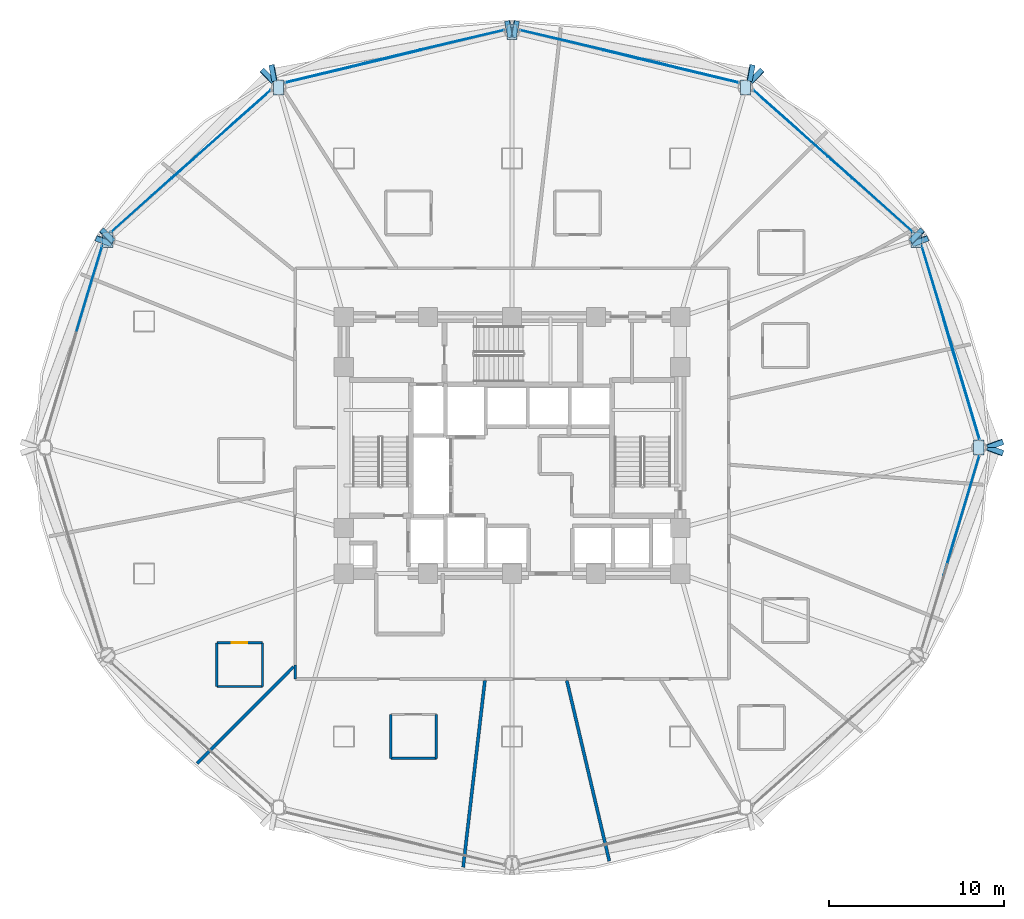
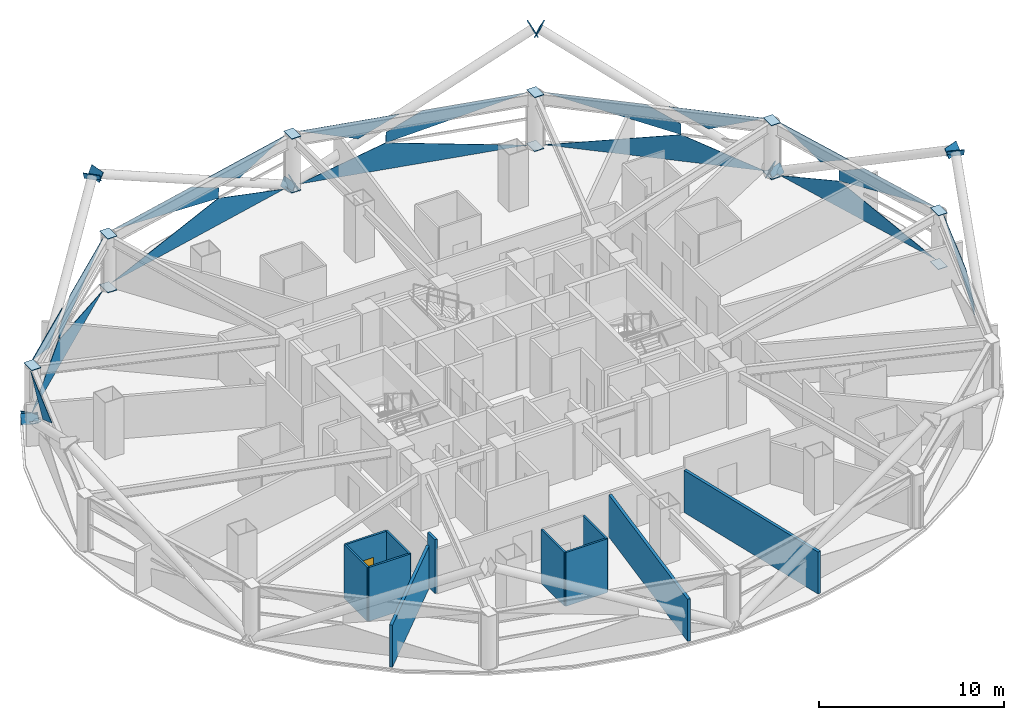
# One storey, part 22 of 30: 41 plates, 11 walls, 1 door, 1 opening, 7 elements without a shape of their own.
"""IFC4 building model written with IfcOpenShell, lengths in metres."""

from ifc_helpers import new_model, si_unit, direction, frame, frame_2d, origin, place, context, subcontext, project, spatial, polyline, rectangle, outline, extrude, material, layer, layer_set, type_object, element, fill, aggregate, save


model = new_model("IFC4")

# Units and contexts
model_context = context("Model", 3, precision=1e-05, world=origin(), true_north=direction((0.0, 1.0)))
body_context = subcontext(model_context, "Body", "Model", "MODEL_VIEW")
ifc_project = project(units=[si_unit("LENGTHUNIT", "METRE"), si_unit("AREAUNIT", "SQUARE_METRE"), si_unit("VOLUMEUNIT", "CUBIC_METRE"), si_unit("PLANEANGLEUNIT", "RADIAN"), si_unit("MASSUNIT", "GRAM", prefix="KILO")], contexts=[model_context])

# Site, building, storey
site_placement = place(None, origin())
site = spatial("IfcSite", under=ifc_project, at=site_placement, CompositionType="ELEMENT")
building_placement = place(site_placement, origin())
building = spatial("IfcBuilding", under=site, at=building_placement, Name="Vantalir Tower", CompositionType="ELEMENT")
storey_placement = place(building_placement, frame((0.0, 0.0, 49.5)))
storey = spatial("IfcBuildingStorey", under=building, at=storey_placement, Name="L11", CompositionType="ELEMENT", Elevation=49.5)

# Curtain wall, plates
ifc_material_1 = material(Name="Champagne-silver PVDF aluminium and double-silver Low-E glass", Category="aluminium")
ifc_layer_1 = layer(ifc_material_1, 0.18994140625)
ifc_layer_set_1 = layer_set([ifc_layer_1], Name="Champagne-silver PVDF aluminium and double-silver Low-E glass")
curtain_wall_type = type_object("IfcCurtainWallType", Name="CW-DIAMOND-Z1", PredefinedType="USERDEFINED", material=ifc_layer_set_1)
curtain_wall_1_placement = place(storey_placement, origin())
curtain_wall_1 = element("IfcCurtainWall", 1, at=curtain_wall_1_placement, inside=storey, type_object=curtain_wall_type, Name="L11 Quilted Pyramid-Diamond Curtain Wall S01", ObjectType="UNITISED CURTAIN WALL", PredefinedType="USERDEFINED")
ifc_material_2 = material(Name="Double-silver Low-E laminated glass IGU", Category="glass")
ifc_layer_2 = layer(ifc_material_2, 0.028076171875)
ifc_layer_set_2 = layer_set([ifc_layer_2], Name="Double-silver Low-E laminated glass IGU")
plate_type_1 = type_object("IfcPlateType", Name="CWP-IGU-28", PredefinedType="CURTAIN_PANEL", material=ifc_layer_set_2)
plate_1_placement = place(storey_placement, frame((58.189453125, 25.46435546875, 0.04638671875), z_axis=(-0.95758802022, -0.287810871385, 0.013787162279), x_axis=(-0.287837949678, 0.95767912908, 2.1198847e-05)))
plate_1 = element("IfcPlate", 2, at=plate_1_placement, type_object=plate_type_1, Name="CW-L11-S01 Pyramid Diamond Facet 1L", PredefinedType="CURTAIN_PANEL", context=body_context, shape_type="SweptSolid", body=[
    extrude(outline(polyline([(0.0, 0.0), (11.516693368469967, 4.960224939121183e-18), (7.134474884502269, -1.7268195281423935), (0.0, 0.0)])), origin(), (0.0, 0.0, -1.0), 0.028076171875),
])
plate_2_placement = place(storey_placement, frame((58.189453125, 25.46435546875, 3.523681640625), z_axis=(0.957583801933, 0.287822602548, 0.01383516313), x_axis=(-0.2878495389, 0.957675644888, -4.6306967e-05)))
plate_2 = element("IfcPlate", 3, at=plate_2_placement, type_object=plate_type_1, Name="CW-L11-S01 Pyramid Diamond Facet 2U", PredefinedType="CURTAIN_PANEL", context=body_context, shape_type="SweptSolid", body=[
    extrude(outline(polyline([(0.0, 0.0), (5.272979411255292, -1.1384122811097797e-18), (7.134514747716848, -1.0459123062447386), (7.134517957991605, -1.7268857212815554), (0.0, 0.0)])), origin(), (0.0, 0.0, -1.0), 0.028076171875),
])
plate_3_placement = place(storey_placement, frame((56.35595703125, 31.67626953125, 3.52392578125), z_axis=(0.957588191156, 0.28780925806, 0.01380895121), x_axis=(-0.287836702746, 0.957679504089, 0.0)))
plate_3 = element("IfcPlate", 4, at=plate_3_placement, type_object=plate_type_1, Name="CW-L11-S01 Pyramid Diamond Facet 2U Infill Light", PredefinedType="CURTAIN_PANEL", context=body_context, shape_type="SweptSolid", body=[
    extrude(outline(polyline([(0.0, 0.0), (5.039953487196752, 0.0), (2.0774181059940315, -1.1673476325182721), (0.0, 0.0)])), origin(), (0.0, 0.0, -1.0), 0.028076171875),
])
aggregate(curtain_wall_1, [plate_1, plate_2, plate_3])

curtain_wall_2_placement = place(storey_placement, origin())
curtain_wall_2 = element("IfcCurtainWall", 5, at=curtain_wall_2_placement, inside=storey, type_object=curtain_wall_type, Name="L11 Quilted Pyramid-Diamond Curtain Wall S02", ObjectType="UNITISED CURTAIN WALL", PredefinedType="USERDEFINED")
plate_4_placement = place(storey_placement, frame((54.373046875, 37.28076171875, 0.046630859375), z_axis=(-0.665372937619, -0.746388040271, 0.01355533931), x_axis=(-0.746456803677, 0.665433873381, -2.0035344e-05)))
plate_4 = element("IfcPlate", 6, at=plate_4_placement, type_object=plate_type_1, Name="CW-L11-S02 Pyramid Diamond Facet 1L", PredefinedType="CURTAIN_PANEL", context=body_context, shape_type="SweptSolid", body=[
    extrude(outline(polyline([(0.0, 0.0), (12.185497165828616, -1.2088854223213374e-17), (4.632465465344607, -1.7270581323679652), (0.0, 0.0)])), origin(), (0.0, 0.0, -1.0), 0.028076171875),
])
plate_5_placement = place(storey_placement, frame((49.500732421875, 41.6240234375, 3.523681640625), z_axis=(0.665395031362, 0.746366235789, 0.013670929477), x_axis=(-0.746435992054, 0.665457218584, 7.5259e-08)))
plate_5 = element("IfcPlate", 7, at=plate_5_placement, type_object=plate_type_1, Name="CW-L11-S02 Pyramid Diamond Facet 2U", PredefinedType="CURTAIN_PANEL", context=body_context, shape_type="SweptSolid", body=[
    extrude(outline(polyline([(0.0, 0.0), (5.65837142206165, 0.0), (-1.894625072008797, -1.7274562127020272), (-1.8947608539828198, -1.020846784373195), (0.0, 0.0)])), origin(), (0.0, 0.0, -1.0), 0.028076171875),
])
plate_6_placement = place(storey_placement, frame((54.394287109375, 37.3046875, 3.52392578125), z_axis=(0.665351507979, 0.746407449705, 0.013538458388), x_axis=(-0.746475863566, 0.665412492453, 0.0)))
plate_6 = element("IfcPlate", 8, at=plate_6_placement, type_object=plate_type_1, Name="CW-L11-S02 Pyramid Diamond Facet 2U Infill Light", PredefinedType="CURTAIN_PANEL", context=body_context, shape_type="SweptSolid", body=[
    extrude(outline(polyline([(0.0, 0.0), (5.285578319672261, 0.0), (3.1237193044857783, -1.1646575210956889), (0.0, 0.0)])), origin(), (0.0, 0.0, -1.0), 0.028076171875),
])
aggregate(curtain_wall_2, [plate_4, plate_5, plate_6])

curtain_wall_3_placement = place(storey_placement, origin())
curtain_wall_3 = element("IfcCurtainWall", 9, at=curtain_wall_3_placement, inside=storey, type_object=curtain_wall_type, Name="L11 Quilted Pyramid-Diamond Curtain Wall S03", ObjectType="UNITISED CURTAIN WALL", PredefinedType="USERDEFINED")
plate_7_placement = place(storey_placement, frame((44.443359375, 45.82470703125, 0.046142578125), z_axis=(-0.232285713853, -0.972551192562, 0.013693976268), x_axis=(-0.972642333461, 0.232307750187, 1.9040058e-05)))
plate_7 = element("IfcPlate", 10, at=plate_7_placement, type_object=plate_type_1, Name="CW-L11-S03 Pyramid Diamond Facet 1L", PredefinedType="CURTAIN_PANEL", context=body_context, shape_type="SweptSolid", body=[
    extrude(outline(polyline([(0.0, 0.0), (12.822472617576965, -7.670730370334944e-18), (7.9437987635103235, -1.7275497993928277), (0.0, 0.0)])), origin(), (0.0, 0.0, -1.0), 0.028076171875),
])
plate_8_placement = place(storey_placement, frame((44.443359375, 45.82470703125, 3.523681640625), z_axis=(0.232292534661, 0.972549302658, 0.013712484807), x_axis=(-0.97264075152, 0.232314374248, 2.05094e-07)))
plate_8 = element("IfcPlate", 11, at=plate_8_placement, type_object=plate_type_1, Name="CW-L11-S03 Pyramid Diamond Facet 2U", PredefinedType="CURTAIN_PANEL", context=body_context, shape_type="SweptSolid", body=[
    extrude(outline(polyline([(0.0, 0.0), (5.8949021910664525, 0.0), (7.943804426634692, -1.0433126126655532), (7.943765679126243, -1.7277019221765757), (0.0, 0.0)])), origin(), (0.0, 0.0, -1.0), 0.028076171875),
])
plate_9_placement = place(storey_placement, frame((37.452392578125, 47.52734375, 3.524169921875), z_axis=(0.232260966211, 0.97255739166, 0.01367345977), x_axis=(-0.972648182055, 0.232283258251, -4.3384994e-05)))
plate_9 = element("IfcPlate", 12, at=plate_9_placement, type_object=plate_type_1, Name="CW-L11-S03 Pyramid Diamond Facet 2U Infill Light", PredefinedType="CURTAIN_PANEL", context=body_context, shape_type="SweptSolid", body=[
    extrude(outline(polyline([(0.0, 0.0), (5.6273057132671, -4.607859233063394e-19), (2.3081248364915905, -1.1753027063647365), (0.0, 0.0)])), origin(), (0.0, 0.0, -1.0), 0.028076171875),
])
aggregate(curtain_wall_3, [plate_7, plate_8, plate_9])

curtain_wall_4_placement = place(storey_placement, origin())
curtain_wall_4 = element("IfcCurtainWall", 13, at=curtain_wall_4_placement, inside=storey, type_object=curtain_wall_type, Name="L11 Quilted Pyramid-Diamond Curtain Wall S04", ObjectType="UNITISED CURTAIN WALL", PredefinedType="USERDEFINED")
plate_10_placement = place(storey_placement, frame((31.0283203125, 48.803466796875, 0.04638671875), z_axis=(0.23230286718, -0.972546854083, 0.013711109148), x_axis=(-0.972638222873, -0.232324960009, -1.9041469e-05)))
plate_10 = element("IfcPlate", 14, at=plate_10_placement, type_object=plate_type_1, Name="CW-L11-S04 Pyramid Diamond Facet 1L", PredefinedType="CURTAIN_PANEL", context=body_context, shape_type="SweptSolid", body=[
    extrude(outline(polyline([(0.0, 0.0), (12.821522773555245, 6.505213034913027e-19), (4.878435971777189, -1.7275502073877023), (0.0, 0.0)])), origin(), (0.0, 0.0, -1.0), 0.028076171875),
])
plate_11_placement = place(storey_placement, frame((24.290771484375, 47.194091796875, 3.523681640625), z_axis=(-0.232312216061, 0.972544477498, 0.013721281159), x_axis=(-0.972636043331, -0.232334085347, -2.19255e-07)))
plate_11 = element("IfcPlate", 15, at=plate_11_placement, type_object=plate_type_1, Name="CW-L11-S04 Pyramid Diamond Facet 2U", PredefinedType="CURTAIN_PANEL", context=body_context, shape_type="SweptSolid", body=[
    extrude(outline(polyline([(0.0, 0.0), (5.894427268126282, -3.469446951953614e-18), (-2.0486264833170234, -1.727702159643553), (-2.0486650521170566, -1.0433128509244445), (0.0, 0.0)])), origin(), (0.0, 0.0, -1.0), 0.028076171875),
])
plate_12_placement = place(storey_placement, frame((31.02099609375, 48.83447265625, 3.52392578125), z_axis=(-0.232270831286, 0.972555313682, 0.013653672146), x_axis=(-0.972645841047, -0.232293060619, 4.3386825e-05)))
plate_12 = element("IfcPlate", 16, at=plate_12_placement, type_object=plate_type_1, Name="CW-L11-S04 Pyramid Diamond Facet 2U Infill Light", PredefinedType="CURTAIN_PANEL", context=body_context, shape_type="SweptSolid", body=[
    extrude(outline(polyline([(0.0, 0.0), (5.62706825061779, 1.3823577699190182e-18), (3.3189432501332403, -1.1753023843061843), (0.0, 0.0)])), origin(), (0.0, 0.0, -1.0), 0.028076171875),
])
aggregate(curtain_wall_4, [plate_10, plate_11, plate_12])

curtain_wall_5_placement = place(storey_placement, origin())
curtain_wall_5 = element("IfcCurtainWall", 17, at=curtain_wall_5_placement, inside=storey, type_object=curtain_wall_type, Name="L11 Quilted Pyramid-Diamond Curtain Wall S05", ObjectType="UNITISED CURTAIN WALL", PredefinedType="USERDEFINED")
plate_13_placement = place(storey_placement, frame((17.723876953125, 45.389404296875, 0.04638671875), z_axis=(0.665332693321, -0.746423023561, 0.013604304349), x_axis=(-0.746492287274, -0.665394067181, 2.0034145e-05)))
plate_13 = element("IfcPlate", 18, at=plate_13_placement, type_object=plate_type_1, Name="CW-L11-S05 Pyramid Diamond Facet 1L", PredefinedType="CURTAIN_PANEL", context=body_context, shape_type="SweptSolid", body=[
    extrude(outline(polyline([(0.0, 0.0), (12.18622614487745, -1.5612511283791264e-17), (7.553579683354092, -1.7270592790379746), (0.0, 0.0)])), origin(), (0.0, 0.0, -1.0), 0.028076171875),
])
plate_14_placement = place(storey_placement, frame((17.723876953125, 45.389404296875, 3.523681640625), z_axis=(-0.665367972826, 0.746389348342, 0.013725939655), x_axis=(-0.746459672113, -0.665430655973, -3.753e-07)))
plate_14 = element("IfcPlate", 19, at=plate_14_placement, type_object=plate_type_1, Name="CW-L11-S05 Pyramid Diamond Facet 2U", PredefinedType="CURTAIN_PANEL", context=body_context, shape_type="SweptSolid", body=[
    extrude(outline(polyline([(0.0, 0.0), (5.658735901848754, 6.938893903907228e-18), (7.553497556417388, -1.0208452871802536), (7.553544572429376, -1.7274569460896003), (0.0, 0.0)])), origin(), (0.0, 0.0, -1.0), 0.028076171875),
])
plate_15_placement = place(storey_placement, frame((12.551513671875, 40.82177734375, 3.52392578125), z_axis=(-0.665354239956, 0.74640488833, 0.013545406924), x_axis=(-0.746473372211, -0.665415287306, 0.0)))
plate_15 = element("IfcPlate", 20, at=plate_15_placement, type_object=plate_type_1, Name="CW-L11-S05 Pyramid Diamond Facet 2U Infill Light", PredefinedType="CURTAIN_PANEL", context=body_context, shape_type="SweptSolid", body=[
    extrude(outline(polyline([(0.0, 0.0), (5.285923019014978, 0.0), (2.161858956136091, -1.164657630706121), (0.0, 0.0)])), origin(), (0.0, 0.0, -1.0), 0.028076171875),
])
aggregate(curtain_wall_5, [plate_13, plate_14, plate_15])

# Curtain wall, plate
curtain_wall_6_placement = place(storey_placement, origin())
curtain_wall_6 = element("IfcCurtainWall", 21, at=curtain_wall_6_placement, inside=storey, type_object=curtain_wall_type, Name="L11 Quilted Pyramid-Diamond Curtain Wall S06", ObjectType="UNITISED CURTAIN WALL", PredefinedType="USERDEFINED")
plate_16_placement = place(storey_placement, frame((8.0947265625, 36.5029296875, 3.52392578125), z_axis=(-0.957588191156, 0.28780925806, 0.01380895121), x_axis=(-0.287836702746, -0.957679504089, 0.0)))
plate_16 = element("IfcPlate", 22, at=plate_16_placement, type_object=plate_type_1, Name="CW-L11-S06 Pyramid Diamond Facet 2U Infill Light", PredefinedType="CURTAIN_PANEL", context=body_context, shape_type="SweptSolid", body=[
    extrude(outline(polyline([(0.0, 0.0), (5.039953487196752, 0.0), (2.96253538120272, -1.1673476325182721), (0.0, 0.0)])), origin(), (0.0, 0.0, -1.0), 0.028076171875),
])
aggregate(curtain_wall_6, [plate_16])

curtain_wall_7_placement = place(storey_placement, origin())
curtain_wall_7 = element("IfcCurtainWall", 23, at=curtain_wall_7_placement, inside=storey, type_object=curtain_wall_type, Name="L11 Quilted Pyramid-Diamond Curtain Wall S12", ObjectType="UNITISED CURTAIN WALL", PredefinedType="USERDEFINED")
plate_17_placement = place(storey_placement, frame((56.671630859375, 19.48583984375, 3.5234375), z_axis=(0.957583801933, -0.287822602548, 0.01383516313), x_axis=(0.2878495389, 0.957675644888, 4.6306967e-05)))
plate_17 = element("IfcPlate", 24, at=plate_17_placement, type_object=plate_type_1, Name="CW-L11-S12 Pyramid Diamond Facet 2U", PredefinedType="CURTAIN_PANEL", context=body_context, shape_type="SweptSolid", body=[
    extrude(outline(polyline([(0.0, 0.0), (5.272979411255292, 1.1384122811097797e-18), (-1.861538546736312, -1.7268857212815554), (-1.8615353364615557, -1.0459123062447386), (0.0, 0.0)])), origin(), (0.0, 0.0, -1.0), 0.028076171875),
])
aggregate(curtain_wall_7, [plate_17])

# Plates
ifc_material_3 = material(Name="Steel S460", Category="steel")
ifc_layer_3 = layer(ifc_material_3, 0.0400390625)
ifc_layer_set_3 = layer_set([ifc_layer_3], Name="Steel S460")
plate_type_2 = type_object("IfcPlateType", Name="PLT-KN-Z1", PredefinedType="USERDEFINED", material=ifc_layer_set_3)
plate_18_placement = place(storey_placement, frame((54.823974609375, 37.5400390625, -0.084716796875), z_axis=(-0.623533153725, 0.621384209426, 0.474434474382), x_axis=(-0.705870680776, -0.708340723513, 3.7874099e-05)))
element("IfcPlate", 25, at=plate_18_placement, inside=storey, type_object=plate_type_2, Name="Node Cap Plate MEM-DG-L11-R04L Start", ObjectType="FLANGE_PLATE", PredefinedType="USERDEFINED", context=body_context, shape_type="SweptSolid", body=[
    extrude(outline(polyline([(0.0, 0.0), (0.9501763024453027, 0.0), (0.9501925555938695, 0.619815970680791), (0.000189187895518321, 0.6198977250190866), (0.0, 0.0)])), origin(), (0.0, 0.0, -1.0), 0.0400390625),
])
plate_19_placement = place(storey_placement, frame((45.66943359375, 46.663330078125, 6.8779296875), z_axis=(-0.623580642481, 0.621544276087, 0.474162308905), x_axis=(-0.705949384031, -0.708262287, 0.0)))
element("IfcPlate", 26, at=plate_19_placement, inside=storey, type_object=plate_type_2, Name="Node Cap Plate MEM-DG-L11-R04L End", ObjectType="FLANGE_PLATE", PredefinedType="USERDEFINED", context=body_context, shape_type="SweptSolid", body=[
    extrude(outline(polyline([(0.0, 0.0), (0.9500033742443192, 2.7755575615628914e-17), (0.9499662940127988, 0.6200309141652494), (-3.708023152051987e-05, 0.6200309141652494), (0.0, 0.0)])), origin(), (0.0, 0.0, -1.0), 0.0400390625),
])
plate_20_placement = place(storey_placement, frame((54.410400390625, 36.46484375, -0.07861328125), z_axis=(0.301312301035, -0.818135705115, 0.489760007821), x_axis=(0.938382593309, 0.345598189485, 0.0)))
element("IfcPlate", 27, at=plate_20_placement, inside=storey, type_object=plate_type_2, Name="Node Cap Plate MEM-DG-L11-R04R Start", ObjectType="FLANGE_PLATE", PredefinedType="USERDEFINED", context=body_context, shape_type="SweptSolid", body=[
    extrude(outline(polyline([(0.0, 0.0), (0.9501471668995506, 2.7755575615628914e-17), (0.9501004315495916, 0.6199722703837001), (-4.6735349959082504e-05, 0.6199722703837), (0.0, 0.0)])), origin(), (0.0, 0.0, -1.0), 0.0400390625),
])
plate_21_placement = place(storey_placement, frame((58.691162109375, 24.84716796875, 6.877685546875), z_axis=(0.301384968398, -0.818108936522, 0.489760011442), x_axis=(0.938351892544, 0.345681538064, 0.0)))
element("IfcPlate", 28, at=plate_21_placement, inside=storey, type_object=plate_type_2, Name="Node Cap Plate MEM-DG-L11-R04R End", ObjectType="FLANGE_PLATE", PredefinedType="USERDEFINED", context=body_context, shape_type="SweptSolid", body=[
    extrude(outline(polyline([(0.0, 0.0), (0.9499180733339312, -2.7755575615628914e-17), (0.9498983079840222, 0.6199722718301547), (-1.9765349908911505e-05, 0.6199722718301547), (0.0, 0.0)])), origin(), (0.0, 0.0, -1.0), 0.0400390625),
])
plate_22_placement = place(storey_placement, frame((31.074951171875, 49.320068359375, -0.0927734375), z_axis=(-0.87601662316, -0.163251398932, 0.453810375261), x_axis=(0.183202462322, -0.983075204549, 0.0)))
element("IfcPlate", 29, at=plate_22_placement, inside=storey, type_object=plate_type_2, Name="Node Cap Plate MEM-DG-L11-R10L Start", ObjectType="FLANGE_PLATE", PredefinedType="USERDEFINED", context=body_context, shape_type="SweptSolid", body=[
    extrude(outline(polyline([(0.0, 0.0), (0.950163351621155, 0.0), (0.9501974145241893, 0.6200104379416387), (3.40629030343223e-05, 0.6200104379416387), (0.0, 0.0)])), origin(), (0.0, 0.0, -1.0), 0.0400390625),
])
plate_23_placement = place(storey_placement, frame((17.619384765625, 46.811767578125, 6.87841796875), z_axis=(-0.875998439314, -0.163269347074, 0.453839018404), x_axis=(0.183230370957, -0.983070003137, 9.521996e-06)))
element("IfcPlate", 30, at=plate_23_placement, inside=storey, type_object=plate_type_2, Name="Node Cap Plate MEM-DG-L11-R10L End", ObjectType="FLANGE_PLATE", PredefinedType="USERDEFINED", context=body_context, shape_type="SweptSolid", body=[
    extrude(outline(polyline([(0.0, 0.0), (0.9499233438702049, 1.3877787807814457e-17), (0.9499706553713583, 0.6200104367518885), (-0.00019269582383134445, 0.6200307408126673), (0.0, 0.0)])), origin(), (0.0, 0.0, -1.0), 0.0400390625),
])
plate_24_placement = place(storey_placement, frame((31.7509765625, 48.385986328125, -0.0927734375), z_axis=(0.87601662316, -0.163251398932, 0.453810375261), x_axis=(0.183202462322, 0.983075204549, 0.0)))
element("IfcPlate", 31, at=plate_24_placement, inside=storey, type_object=plate_type_2, Name="Node Cap Plate MEM-DG-L11-R10R Start", ObjectType="FLANGE_PLATE", PredefinedType="USERDEFINED", context=body_context, shape_type="SweptSolid", body=[
    extrude(outline(polyline([(0.0, 0.0), (0.950163351621155, 0.0), (0.9501292887181206, 0.6200104379416387), (-3.40629030343223e-05, 0.6200104379416387), (0.0, 0.0)])), origin(), (0.0, 0.0, -1.0), 0.0400390625),
])
plate_25_placement = place(storey_placement, frame((45.20751953125, 45.8779296875, 6.87841796875), z_axis=(0.875998439314, -0.163269347074, 0.453839018404), x_axis=(0.183230370957, 0.983070003137, -9.521996e-06)))
element("IfcPlate", 32, at=plate_25_placement, inside=storey, type_object=plate_type_2, Name="Node Cap Plate MEM-DG-L11-R10R End", ObjectType="FLANGE_PLATE", PredefinedType="USERDEFINED", context=body_context, shape_type="SweptSolid", body=[
    extrude(outline(polyline([(0.0, 0.0), (0.9499233438702049, -1.3877787807814457e-17), (0.9501160396940362, 0.6200307408126673), (-4.7311501153340955e-05, 0.6200104367518884), (0.0, 0.0)])), origin(), (0.0, 0.0, -1.0), 0.0400390625),
])
plate_26_placement = place(storey_placement, frame((7.697998046875, 36.793212890625, -0.07861328125), z_axis=(-0.301312301035, -0.818135705115, 0.489760007821), x_axis=(0.938382593309, -0.345598189485, 0.0)))
element("IfcPlate", 33, at=plate_26_placement, inside=storey, type_object=plate_type_2, Name="Node Cap Plate MEM-DG-L11-R16L Start", ObjectType="FLANGE_PLATE", PredefinedType="USERDEFINED", context=body_context, shape_type="SweptSolid", body=[
    extrude(outline(polyline([(0.0, 0.0), (0.9501471668995506, -2.7755575615628914e-17), (0.9501939022495096, 0.6199722703837), (4.6735349959082504e-05, 0.6199722703837), (0.0, 0.0)])), origin(), (0.0, 0.0, -1.0), 0.0400390625),
])
plate_27_placement = place(storey_placement, frame((8.8466796875, 36.866943359375, -0.084716796875), z_axis=(0.623533153725, 0.621384209426, 0.474434474382), x_axis=(-0.705870680776, 0.708340723513, -3.7874099e-05)))
element("IfcPlate", 34, at=plate_27_placement, inside=storey, type_object=plate_type_2, Name="Node Cap Plate MEM-DG-L11-R16R Start", ObjectType="FLANGE_PLATE", PredefinedType="USERDEFINED", context=body_context, shape_type="SweptSolid", body=[
    extrude(outline(polyline([(0.0, 0.0), (0.9501763024453027, 0.0), (0.9499871145497844, 0.6198977250190867), (-1.625314856689013e-05, 0.619815970680791), (0.0, 0.0)])), origin(), (0.0, 0.0, -1.0), 0.0400390625),
])
plate_28_placement = place(storey_placement, frame((18.002197265625, 45.990478515625, 6.8779296875), z_axis=(0.623580642481, 0.621544276087, 0.474162308905), x_axis=(-0.705949384031, 0.708262287, 0.0)))
element("IfcPlate", 35, at=plate_28_placement, inside=storey, type_object=plate_type_2, Name="Node Cap Plate MEM-DG-L11-R16R End", ObjectType="FLANGE_PLATE", PredefinedType="USERDEFINED", context=body_context, shape_type="SweptSolid", body=[
    extrude(outline(polyline([(0.0, 0.0), (0.9500033742443192, -2.7755575615628914e-17), (0.9500404544758398, 0.6200309141652494), (3.708023152051987e-05, 0.6200309141652494), (0.0, 0.0)])), origin(), (0.0, 0.0, -1.0), 0.0400390625),
])
plate_29_placement = place(storey_placement, frame((59.58251953125, 24.824462890625, 6.877685546875), z_axis=(0.301384968398, 0.818108936522, 0.489760011442), x_axis=(-0.938351892544, 0.345681538064, 0.0)))
element("IfcPlate", 36, at=plate_29_placement, inside=storey, type_object=plate_type_2, Name="Node Cap Plate MEM-DG-L11-R34L End", ObjectType="FLANGE_PLATE", PredefinedType="USERDEFINED", context=body_context, shape_type="SweptSolid", body=[
    extrude(outline(polyline([(0.0, 0.0), (0.9499180733339312, 2.7755575615628914e-17), (0.9499378386838401, 0.6199722718301548), (1.9765349908911505e-05, 0.6199722718301547), (0.0, 0.0)])), origin(), (0.0, 0.0, -1.0), 0.0400390625),
])
ifc_layer_4 = layer(ifc_material_3, 0.035888671875)
ifc_layer_set_4 = layer_set([ifc_layer_4], Name="Steel S460")
plate_type_3 = type_object("IfcPlateType", Name="PLT-KN-Z2", PredefinedType="USERDEFINED", material=ifc_layer_set_4)
for number, where, z_axis, x_axis, name in (
    (37, (57.84912109375, 25.43994140625, 3.597900390625), (0.0, 0.0, 1.0), (0.0, -1.0, 0.0), "L11 Ring Column Top Cap RC01"),
    (38, (57.84912109375, 25.43994140625, 0.052978515625), (0.0, 0.0, 1.0), (0.0, -1.0, 0.0), "L11 Ring Column Base Cap RC01"),
):
    element("IfcPlate", number, at=place(storey_placement, frame(where, z_axis=z_axis, x_axis=x_axis)), inside=storey, type_object=plate_type_3, Name=name, ObjectType="FLANGE_PLATE", PredefinedType="USERDEFINED", context=body_context, shape_type="SweptSolid", body=[
        extrude(outline(polyline([(0.0, 0.0), (0.8798828125, 0.0), (0.8798828125, 0.579833984375), (0.0, 0.579833984375), (0.0, 0.0)])), origin(), (0.0, 0.0, -1.0), 0.035888671875),
    ])
for number, where, z_axis, x_axis, name in (
    (39, (54.280029296875, 37.302978515625, 3.597900390625), (0.0, 0.0, 1.0), (0.0, -1.0, 0.0), "L11 Ring Column Top Cap RC02"),
    (40, (54.280029296875, 37.302978515625, 0.052978515625), (0.0, 0.0, 1.0), (0.0, -1.0, 0.0), "L11 Ring Column Base Cap RC02"),
):
    element("IfcPlate", number, at=place(storey_placement, frame(where, z_axis=z_axis, x_axis=x_axis)), inside=storey, type_object=plate_type_3, Name=name, ObjectType="FLANGE_PLATE", PredefinedType="USERDEFINED", context=body_context, shape_type="SweptSolid", body=[
        extrude(outline(polyline([(0.0, 0.0), (0.8798828125, 0.0), (0.8798828125, 0.580078125), (0.0, 0.580078125), (0.0, 0.0)])), origin(), (0.0, 0.0, -1.0), 0.035888671875),
    ])
for number, where, z_axis, x_axis, name in (
    (41, (44.530029296875, 45.987060546875, 3.597900390625), (0.0, 0.0, 1.0), (0.0, -1.0, 0.0), "L11 Ring Column Top Cap RC03"),
    (42, (44.530029296875, 45.987060546875, 0.052978515625), (0.0, 0.0, 1.0), (0.0, -1.0, 0.0), "L11 Ring Column Base Cap RC03"),
    (43, (31.2099609375, 49.166015625, 3.597900390625), (0.0, 0.0, 1.0), (0.0, -1.0, 0.0), "L11 Ring Column Top Cap RC04"),
    (44, (31.2099609375, 49.166015625, 0.052978515625), (0.0, 0.0, 1.0), (0.0, -1.0, 0.0), "L11 Ring Column Base Cap RC04"),
):
    element("IfcPlate", number, at=place(storey_placement, frame(where, z_axis=z_axis, x_axis=x_axis)), inside=storey, type_object=plate_type_3, Name=name, ObjectType="FLANGE_PLATE", PredefinedType="USERDEFINED", context=body_context, shape_type="SweptSolid", body=[
        extrude(outline(polyline([(0.0, 0.0), (0.880126953125, 0.0), (0.880126953125, 0.580078125), (0.0, 0.580078125), (0.0, 0.0)])), origin(), (0.0, 0.0, -1.0), 0.035888671875),
    ])
for number, where, z_axis, x_axis, name in (
    (45, (17.89111328125, 45.987060546875, 3.597900390625), (0.0, 0.0, 1.0), (0.0, -1.0, 0.0), "L11 Ring Column Top Cap RC05"),
    (46, (17.89111328125, 45.987060546875, 0.052978515625), (0.0, 0.0, 1.0), (0.0, -1.0, 0.0), "L11 Ring Column Base Cap RC05"),
):
    element("IfcPlate", number, at=place(storey_placement, frame(where, z_axis=z_axis, x_axis=x_axis)), inside=storey, type_object=plate_type_3, Name=name, ObjectType="FLANGE_PLATE", PredefinedType="USERDEFINED", context=body_context, shape_type="SweptSolid", body=[
        extrude(outline(polyline([(0.0, 0.0), (0.880126953125, 0.0), (0.880126953125, 0.579833984375), (0.0, 0.579833984375), (0.0, 0.0)])), origin(), (0.0, 0.0, -1.0), 0.035888671875),
    ])
for number, where, z_axis, x_axis, name in (
    (47, (8.139892578125, 37.302978515625, 3.597900390625), (0.0, 0.0, 1.0), (0.0, -1.0, 0.0), "L11 Ring Column Top Cap RC06"),
    (48, (8.139892578125, 37.302978515625, 0.052978515625), (0.0, 0.0, 1.0), (0.0, -1.0, 0.0), "L11 Ring Column Base Cap RC06"),
):
    element("IfcPlate", number, at=place(storey_placement, frame(where, z_axis=z_axis, x_axis=x_axis)), inside=storey, type_object=plate_type_3, Name=name, ObjectType="FLANGE_PLATE", PredefinedType="USERDEFINED", context=body_context, shape_type="SweptSolid", body=[
        extrude(outline(polyline([(0.0, 0.0), (0.8798828125, 0.0), (0.8798828125, 0.580078125), (0.0, 0.580078125), (0.0, 0.0)])), origin(), (0.0, 0.0, -1.0), 0.035888671875),
    ])

# Wall
ifc_material_4 = material(Name="Moisture-resistant en-suite partition", Category="gypsum")
ifc_layer_5 = layer(ifc_material_4, 0.125)
ifc_layer_set_5 = layer_set([ifc_layer_5], Name="Moisture-resistant en-suite partition")
wall_type_1 = type_object("IfcWallType", Name="WL-BATH-125", PredefinedType="PARTITIONING", material=ifc_layer_set_5)
wall_1_placement = place(storey_placement, frame((14.652099609375, 11.35400390625, 0.0), z_axis=(0.0, 0.0, 1.0), x_axis=(1.0, 0.0, 0.0)))
element("IfcWall", 49, at=wall_1_placement, inside=storey, type_object=wall_type_1, Name="L11 En-suite 08 South Wall", PredefinedType="PARTITIONING", context=body_context, shape_type="SweptSolid", body=[
    extrude(rectangle(XDim=2.599853515625, YDim=0.125, at=frame_2d((1.2998046875, 0.0))), origin(), (0.0, 0.0, 1.0), 3.550048828125),
])

# Wall, opening, door
wall_2_placement = place(storey_placement, frame((14.652099609375, 13.85400390625, 0.0), z_axis=(0.0, 0.0, 1.0), x_axis=(1.0, 0.0, 0.0)))
wall_2 = element("IfcWall", 50, at=wall_2_placement, inside=storey, type_object=wall_type_1, Name="L11 En-suite 08 North Wall", PredefinedType="PARTITIONING", context=body_context, shape_type="SweptSolid", body=[
    extrude(rectangle(XDim=2.599853515625, YDim=0.125, at=frame_2d((1.2998046875, 0.0))), origin(), (0.0, 0.0, 1.0), 3.550048828125),
])
opening_placement = place(wall_2_placement, frame((0.85009765625, 0.0, 0.0)))
opening = element("IfcOpeningElement", 51, at=opening_placement, cuts=wall_2, Name="Opening D-WC", PredefinedType="OPENING", context=body_context, shape_type="SweptSolid", body=[
    extrude(rectangle(XDim=0.89990234375, YDim=2.10009765625, at=frame_2d((0.449951171875, 1.050048828125))), frame((0.0, 0.072509765625, 0.0), z_axis=(0.0, -1.0, 0.0), x_axis=(1.0, 0.0, 0.0)), (0.0, 0.0, 1.0), 0.14501953125),
])
ifc_material_5 = material(Name="Moisture-resistant hardwood door", Category="wood")
door_type = type_object("IfcDoorType", Name="DR-ENSUITE-900", OperationType="NOTDEFINED", PredefinedType="DOOR", material=ifc_material_5)
door_placement = place(opening_placement, frame((0.89990234375, 0.0, 0.0), z_axis=(0.0, 0.0, 1.0), x_axis=(-1.0, 0.0, 0.0)))
door = element("IfcDoor", 52, at=door_placement, inside=storey, type_object=door_type, Name="L11 En-suite 08 Door", OperationType="SINGLE_SWING_RIGHT", OverallHeight=2.10009765625, OverallWidth=0.89990234375, PredefinedType="DOOR", context=body_context, shape_type="SweptSolid", body=[
    extrude(rectangle(XDim=0.89990234375, YDim=2.10009765625, at=frame_2d((0.449951171875, 1.050048828125))), frame((0.0, 0.02490234375, 0.0), z_axis=(0.0, -1.0, 0.0), x_axis=(1.0, 0.0, 0.0)), (0.0, 0.0, 1.0), 0.050048828125),
])
fill(opening, door)

# Walls
for number, where, z_axis, x_axis, name in (
    (53, (14.652099609375, 11.35400390625, 0.0), (0.0, 0.0, 1.0), (0.0, 1.0, 0.0), "L11 En-suite 08 West Wall"),
    (54, (17.251953125, 11.35400390625, 0.0), (0.0, 0.0, 1.0), (0.0, 1.0, 0.0), "L11 En-suite 08 East Wall"),
):
    element("IfcWall", number, at=place(storey_placement, frame(where, z_axis=z_axis, x_axis=x_axis)), inside=storey, type_object=wall_type_1, Name=name, PredefinedType="PARTITIONING", context=body_context, shape_type="SweptSolid", body=[
        extrude(rectangle(XDim=2.5, YDim=0.125, at=frame_2d((1.25, 0.0))), origin(), (0.0, 0.0, 1.0), 3.550048828125),
    ])
wall_3_placement = place(storey_placement, frame((24.580078125, 7.261962890625, 0.0), z_axis=(0.0, 0.0, 1.0), x_axis=(1.0, 0.0, 0.0)))
element("IfcWall", 55, at=wall_3_placement, inside=storey, type_object=wall_type_1, Name="L11 En-suite 09 South Wall", PredefinedType="PARTITIONING", context=body_context, shape_type="SweptSolid", body=[
    extrude(rectangle(XDim=2.599853515625, YDim=0.125, at=frame_2d((1.2998046875, 0.0))), origin(), (0.0, 0.0, 1.0), 3.550048828125),
])
for number, where, z_axis, x_axis, name in (
    (56, (24.580078125, 7.261962890625, 0.0), (0.0, 0.0, 1.0), (0.0, 1.0, 0.0), "L11 En-suite 09 West Wall"),
    (57, (27.179931640625, 7.261962890625, 0.0), (0.0, 0.0, 1.0), (0.0, 1.0, 0.0), "L11 En-suite 09 East Wall"),
):
    element("IfcWall", number, at=place(storey_placement, frame(where, z_axis=z_axis, x_axis=x_axis)), inside=storey, type_object=wall_type_1, Name=name, PredefinedType="PARTITIONING", context=body_context, shape_type="SweptSolid", body=[
        extrude(rectangle(XDim=2.5, YDim=0.125, at=frame_2d((1.25, 0.0))), origin(), (0.0, 0.0, 1.0), 3.550048828125),
    ])
ifc_material_6 = material(Name="Fire-rated hotel corridor acoustic partition", Category="gypsum")
ifc_layer_6 = layer(ifc_material_6, 0.159912109375)
ifc_layer_set_6 = layer_set([ifc_layer_6], Name="Fire-rated hotel corridor acoustic partition")
wall_type_2 = type_object("IfcWallType", Name="WL-CORR-160", PredefinedType="PARTITIONING", material=ifc_layer_set_6)
wall_4_placement = place(storey_placement, frame((19.131103515625, 11.780029296875, 0.0), z_axis=(0.0, 0.0, 1.0), x_axis=(-0.001512857573, 0.99999885563, 0.0)))
element("IfcWall", 58, at=wall_4_placement, inside=storey, type_object=wall_type_2, Name="L11 Corridor Partition 18", PredefinedType="PARTITIONING", context=body_context, shape_type="SweptSolid", body=[
    extrude(rectangle(XDim=0.806884765625, YDim=0.159912109375, at=frame_2d((0.4033203125, 0.0))), origin(), (0.0, 0.0, 1.0), 3.550048828125),
])
ifc_material_7 = material(Name="Twin-stud acoustic fire-rated gypsum partition", Category="gypsum")
ifc_layer_7 = layer(ifc_material_7, 0.179931640625)
ifc_layer_set_7 = layer_set([ifc_layer_7], Name="Twin-stud acoustic fire-rated gypsum partition")
wall_type_3 = type_object("IfcWallType", Name="WL-GUEST-180", PredefinedType="PARTITIONING", material=ifc_layer_set_7)
wall_5_placement = place(storey_placement, frame((19.034912109375, 12.491943359375, 0.0), z_axis=(0.0, 0.0, 1.0), x_axis=(-0.705820822029, -0.708390405913, 0.0)))
element("IfcWall", 59, at=wall_5_placement, inside=storey, type_object=wall_type_3, Name="L11 Radial Suite Partition 09", PredefinedType="PARTITIONING", context=body_context, shape_type="SweptSolid", body=[
    extrude(rectangle(XDim=7.791015625, YDim=0.179931640625, at=frame_2d((3.8955078125, 0.0))), origin(), (0.0, 0.0, 1.0), 2.77490234375),
])
wall_6_placement = place(storey_placement, frame((29.952880859375, 11.699951171875, 0.0), z_axis=(0.0, 0.0, 1.0), x_axis=(-0.115564552906, -0.993299971867, 0.0)))
element("IfcWall", 60, at=wall_6_placement, inside=storey, type_object=wall_type_3, Name="L11 Radial Suite Partition 10", PredefinedType="PARTITIONING", context=body_context, shape_type="SweptSolid", body=[
    extrude(rectangle(XDim=10.729736328125, YDim=0.179931640625, at=frame_2d((5.36474609375, 0.0))), origin(), (0.0, 0.0, 1.0), 2.77490234375),
])
wall_7_placement = place(storey_placement, frame((34.62890625, 11.699951171875, 0.0), z_axis=(0.0, 0.0, 1.0), x_axis=(0.229071468701, -0.973409606603, 0.0)))
element("IfcWall", 61, at=wall_7_placement, inside=storey, type_object=wall_type_3, Name="L11 Radial Suite Partition 11", PredefinedType="PARTITIONING", context=body_context, shape_type="SweptSolid", body=[
    extrude(rectangle(XDim=10.58642578125, YDim=0.179931640625, at=frame_2d((5.293212890625, 0.0))), origin(), (0.0, 0.0, 1.0), 2.77490234375),
])

save(model, "model.ifc")
